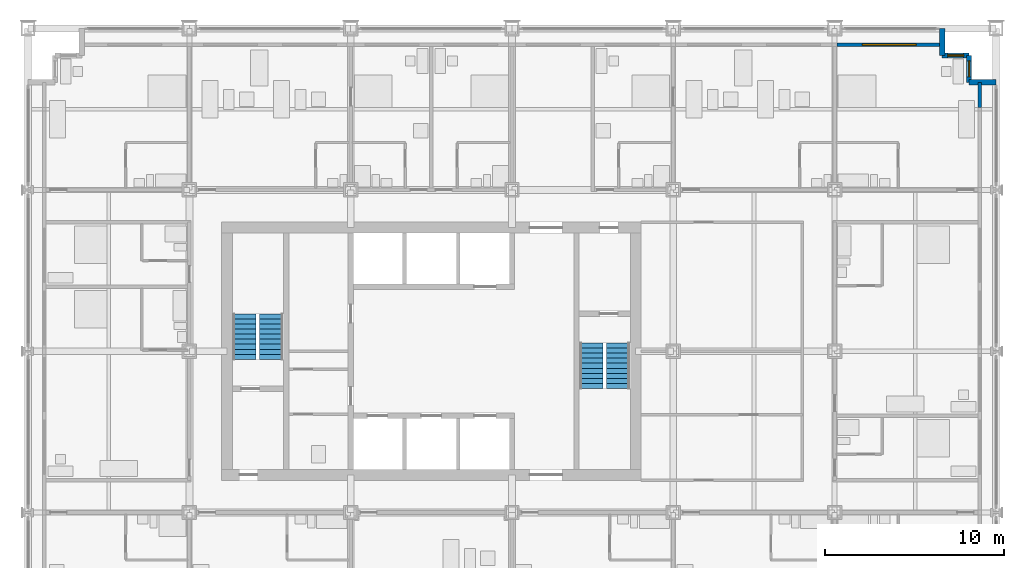
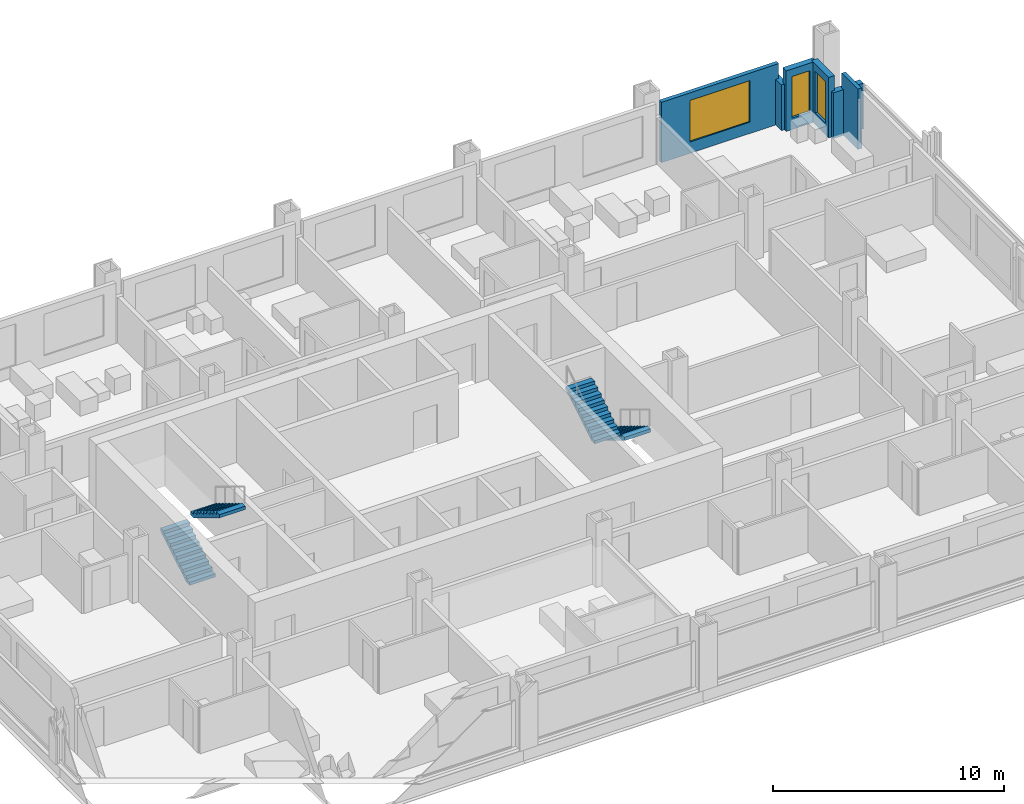
# One storey, part 15 of 18: 6 walls, 4 stair flights, 3 windows, 3 openings, 2 elements without a shape of their own.
"""IFC4 building model written with IfcOpenShell, lengths in metres."""

from ifc_helpers import new_model, si_unit, direction, frame, frame_2d, origin, place, context, subcontext, project, spatial, polyline, rectangle, outline, extrude, material, layer, layer_set, type_object, element, fill, aggregate, save


model = new_model("IFC4")

# Units and contexts
model_context = context("Model", 3, precision=1e-05, world=origin(), true_north=direction((0.0, 1.0)))
body_context = subcontext(model_context, "Body", "Model", "MODEL_VIEW")
ifc_project = project(units=[si_unit("LENGTHUNIT", "METRE"), si_unit("AREAUNIT", "SQUARE_METRE"), si_unit("VOLUMEUNIT", "CUBIC_METRE"), si_unit("PLANEANGLEUNIT", "RADIAN"), si_unit("MASSUNIT", "GRAM", prefix="KILO")], contexts=[model_context])

# Site, building, storey
site_placement = place(None, origin())
site = spatial("IfcSite", under=ifc_project, at=site_placement, CompositionType="ELEMENT")
building_placement = place(site_placement, origin())
building = spatial("IfcBuilding", under=site, at=building_placement, Name="Loomwork Tower", CompositionType="ELEMENT")
storey_placement = place(building_placement, frame((0.0, 0.0, 48.39990234375)))
storey = spatial("IfcBuildingStorey", under=building, at=storey_placement, Name="L11", CompositionType="ELEMENT", Elevation=48.39990234375)

# Wall, opening, window
ifc_material_1 = material(Name="Insulated steel stud wall with gypsum lining", Category="steel")
ifc_layer_1 = layer(ifc_material_1, 0.199951171875)
ifc_layer_set_1 = layer_set([ifc_layer_1], Name="Inner skin wall 200")
wall_type_1 = type_object("IfcWallType", Name="Inner skin wall 200", PredefinedType="SOLIDWALL", material=ifc_layer_set_1)
wall_1_placement = place(storey_placement, frame((45.135498046875, 35.10009765625, 0.0), z_axis=(0.0, 0.0, 1.0), x_axis=(1.0, 0.0, 0.0)))
wall_1 = element("IfcWall", 1, at=wall_1_placement, inside=storey, type_object=wall_type_1, Name="Inner skin wall N bay 11", PredefinedType="SOLIDWALL", context=body_context, shape_type="SweptSolid", body=[
    extrude(rectangle(XDim=5.864501953125, YDim=0.199951171875, at=frame_2d((2.93212890625, 0.0))), origin(), (0.0, 0.0, 1.0), 3.2001953125),
])
opening_1_placement = place(wall_1_placement, frame((1.41455078125, 0.0, 0.60009765625)))
opening_1 = element("IfcOpeningElement", 2, at=opening_1_placement, cuts=wall_1, Name="Opening CH1", PredefinedType="OPENING", context=body_context, shape_type="SweptSolid", body=[
    extrude(rectangle(XDim=3.0, YDim=2.199951171875, at=frame_2d((1.5, 1.10009765625))), frame((0.0, 0.10986328125, 0.0), z_axis=(0.0, -1.0, 0.0), x_axis=(1.0, 0.0, 0.0)), (0.0, 0.0, 1.0), 0.219970703125),
])
ifc_material_2 = material(Name="Aluminium frame with clear insulated glass", Category="aluminium")
window_type_1 = type_object("IfcWindowType", Name="Chicago window 3000", PartitioningType="TRIPLE_PANEL_VERTICAL", PredefinedType="WINDOW", material=ifc_material_2)
window_1_placement = place(opening_1_placement, origin())
window_1 = element("IfcWindow", 3, at=window_1_placement, inside=storey, type_object=window_type_1, Name="Chicago window L11 bay 12", OverallHeight=2.199951171875, OverallWidth=3.0, PartitioningType="TRIPLE_PANEL_VERTICAL", PredefinedType="WINDOW", context=body_context, shape_type="SweptSolid", body=[
    extrude(rectangle(XDim=3.0, YDim=2.199951171875, at=frame_2d((1.5, 1.10009765625))), frame((0.0, 0.030029296875, 0.0), z_axis=(0.0, -1.0, 0.0), x_axis=(1.0, 0.0, 0.0)), (0.0, 0.0, 1.0), 0.06005859375),
])
fill(opening_1, window_1)

# Walls
wall_2_placement = place(storey_placement, frame((53.10009765625, 31.607421875, 0.0), z_axis=(0.0, 0.0, 1.0), x_axis=(0.0, 1.0, 0.0)))
element("IfcWall", 4, at=wall_2_placement, inside=storey, type_object=wall_type_1, Name="Inner skin wall E bay 11", PredefinedType="SOLIDWALL", context=body_context, shape_type="SweptSolid", body=[
    extrude(rectangle(XDim=1.392578125, YDim=0.199951171875, at=frame_2d((0.6962890625, 0.0))), origin(), (0.0, 0.0, 1.0), 3.2001953125),
])
ifc_material_3 = material(Name="Limestone on concrete masonry", Category="masonry")
ifc_layer_2 = layer(ifc_material_3, 0.300048828125)
ifc_layer_set_2 = layer_set([ifc_layer_2], Name="Limestone corner wall 300")
wall_type_2 = type_object("IfcWallType", Name="Limestone corner wall 300", PredefinedType="SOLIDWALL", material=ifc_layer_set_2)
wall_3_placement = place(storey_placement, frame((54.0, 33.0, 0.0), z_axis=(0.0, 0.0, 1.0), x_axis=(-1.0, 0.0, 0.0)))
element("IfcWall", 5, at=wall_3_placement, inside=storey, type_object=wall_type_2, Name="Stone corner wall NE 1", PredefinedType="SOLIDWALL", context=body_context, shape_type="SweptSolid", body=[
    extrude(rectangle(XDim=1.5, YDim=0.300048828125, at=frame_2d((0.75, 0.0))), origin(), (0.0, 0.0, 1.0), 2.420166015625),
])

# Wall, opening, window
wall_4_placement = place(storey_placement, frame((52.5, 33.0, 0.0), z_axis=(0.0, 0.0, 1.0), x_axis=(0.0, 1.0, 0.0)))
wall_4 = element("IfcWall", 6, at=wall_4_placement, inside=storey, type_object=wall_type_2, Name="Stone corner wall NE 2", PredefinedType="SOLIDWALL", context=body_context, shape_type="SweptSolid", body=[
    extrude(rectangle(XDim=1.5, YDim=0.300048828125, at=frame_2d((0.75, 0.0))), origin(), (0.0, 0.0, 1.0), 3.2001953125),
])
opening_2_placement = place(wall_4_placement, frame((0.300048828125, 0.0, 0.60009765625)))
opening_2 = element("IfcOpeningElement", 7, at=opening_2_placement, cuts=wall_4, Name="Opening CH2", PredefinedType="OPENING", context=body_context, shape_type="SweptSolid", body=[
    extrude(rectangle(XDim=0.89990234375, YDim=2.199951171875, at=frame_2d((0.449951171875, 1.10009765625))), frame((0.0, 0.159912109375, 0.0), z_axis=(0.0, -1.0, 0.0), x_axis=(1.0, 0.0, 0.0)), (0.0, 0.0, 1.0), 0.320068359375),
])
ifc_material_4 = material(Name="Aluminium frame with clear insulated glass", Category="aluminium")
window_type_2 = type_object("IfcWindowType", Name="Corner window 900", PartitioningType="SINGLE_PANEL", PredefinedType="WINDOW", material=ifc_material_4)
window_2_placement = place(opening_2_placement, origin())
window_2 = element("IfcWindow", 8, at=window_2_placement, inside=storey, type_object=window_type_2, Name="Corner window NE", OverallHeight=2.199951171875, OverallWidth=0.89990234375, PartitioningType="SINGLE_PANEL", PredefinedType="WINDOW", context=body_context, shape_type="SweptSolid", body=[
    extrude(rectangle(XDim=0.89990234375, YDim=2.199951171875, at=frame_2d((0.449951171875, 1.10009765625))), frame((0.0, 0.030029296875, 0.0), z_axis=(0.0, -1.0, 0.0), x_axis=(1.0, 0.0, 0.0)), (0.0, 0.0, 1.0), 0.06005859375),
])
fill(opening_2, window_2)

wall_5_placement = place(storey_placement, frame((52.5, 34.5, 0.0), z_axis=(0.0, 0.0, 1.0), x_axis=(-1.0, 0.0, 0.0)))
wall_5 = element("IfcWall", 9, at=wall_5_placement, inside=storey, type_object=wall_type_2, Name="Stone corner wall NE 3", PredefinedType="SOLIDWALL", context=body_context, shape_type="SweptSolid", body=[
    extrude(rectangle(XDim=1.5, YDim=0.300048828125, at=frame_2d((0.75, 0.0))), origin(), (0.0, 0.0, 1.0), 3.2001953125),
])
opening_3_placement = place(wall_5_placement, frame((0.300048828125, 0.0, 0.60009765625)))
opening_3 = element("IfcOpeningElement", 10, at=opening_3_placement, cuts=wall_5, Name="Opening CH2", PredefinedType="OPENING", context=body_context, shape_type="SweptSolid", body=[
    extrude(rectangle(XDim=0.89990234375, YDim=2.199951171875, at=frame_2d((0.449951171875, 1.10009765625))), frame((0.0, 0.159912109375, 0.0), z_axis=(0.0, -1.0, 0.0), x_axis=(1.0, 0.0, 0.0)), (0.0, 0.0, 1.0), 0.320068359375),
])
window_3_placement = place(opening_3_placement, origin())
window_3 = element("IfcWindow", 11, at=window_3_placement, inside=storey, type_object=window_type_2, Name="Corner window NE", OverallHeight=2.199951171875, OverallWidth=0.89990234375, PartitioningType="SINGLE_PANEL", PredefinedType="WINDOW", context=body_context, shape_type="SweptSolid", body=[
    extrude(rectangle(XDim=0.89990234375, YDim=2.199951171875, at=frame_2d((0.449951171875, 1.10009765625))), frame((0.0, 0.030029296875, 0.0), z_axis=(0.0, -1.0, 0.0), x_axis=(1.0, 0.0, 0.0)), (0.0, 0.0, 1.0), 0.06005859375),
])
fill(opening_3, window_3)

# Wall
wall_6_placement = place(storey_placement, frame((51.0, 34.5, 0.0), z_axis=(0.0, 0.0, 1.0), x_axis=(0.0, 1.0, 0.0)))
element("IfcWall", 12, at=wall_6_placement, inside=storey, type_object=wall_type_2, Name="Stone corner wall NE 4", PredefinedType="SOLIDWALL", context=body_context, shape_type="SweptSolid", body=[
    extrude(rectangle(XDim=1.5, YDim=0.300048828125, at=frame_2d((0.75, 0.0))), origin(), (0.0, 0.0, 1.0), 2.420166015625),
])

# Stair, stair flights
ifc_material_5 = material(Name="Concrete 5000 psi (34 MPa) precast stair", Category="concrete")
stair_type_1 = type_object("IfcStairType", Name="Stair ST-A 20 risers 2850 wide", PredefinedType="HALF_TURN_STAIR", material=ifc_material_5)
stair_1_placement = place(storey_placement, origin())
stair_1 = element("IfcStair", 13, at=stair_1_placement, inside=storey, type_object=stair_type_1, Name="Stair A L11", PredefinedType="HALF_TURN_STAIR")
ifc_material_6 = material(Name="Concrete 5000 psi (34 MPa) precast stair", Category="concrete")
stair_flight_type_1 = type_object("IfcStairFlightType", Name="Stair flight ST-A 10 risers 1300 wide", PredefinedType="STRAIGHT", material=ifc_material_6)
stair_flight_1_placement = place(storey_placement, frame((12.074951171875, 17.550048828125, 0.0), z_axis=(0.0, 0.0, 1.0), x_axis=(0.0, 1.0, 0.0)))
stair_flight_1 = element("IfcStairFlight", 14, at=stair_flight_1_placement, type_object=stair_flight_type_1, Name="ST-A flight 1", NumberOfRisers=10, NumberOfTreads=9, PredefinedType="STRAIGHT", RiserHeight=0.17, TreadLength=0.28, context=body_context, shape_type="SweptSolid", body=[
    extrude(outline(polyline([(0.0, 0.0), (0.0, 0.169921875), (0.280029296875, 0.169921875), (0.280029296875, 0.340087890625), (0.56005859375, 0.340087890625), (0.56005859375, 0.510009765625), (0.840087890625, 0.510009765625), (0.840087890625, 0.679931640625), (1.1201171875, 0.679931640625), (1.1201171875, 0.85009765625), (1.39990234375, 0.85009765625), (1.39990234375, 1.02001953125), (1.679931640625, 1.02001953125), (1.679931640625, 1.18994140625), (1.9599609375, 1.18994140625), (1.9599609375, 1.360107421875), (2.239990234375, 1.360107421875), (2.239990234375, 1.530029296875), (2.52001953125, 1.530029296875), (2.52001953125, 1.699951171875), (2.52001953125, 1.354736328125), (0.288818359375, 0.0), (0.0, 0.0)])), frame((0.0, 0.64990234375, 0.0), z_axis=(0.0, -1.0, 0.0), x_axis=(1.0, 0.0, 0.0)), (0.0, 0.0, 1.0), 1.300048828125),
])
stair_flight_2_placement = place(storey_placement, frame((13.574951171875, 20.070068359375, 1.7001953125), z_axis=(0.0, 0.0, 1.0), x_axis=(0.0, -1.0, 0.0)))
stair_flight_2 = element("IfcStairFlight", 15, at=stair_flight_2_placement, type_object=stair_flight_type_1, Name="ST-A flight 2", NumberOfRisers=10, NumberOfTreads=9, PredefinedType="STRAIGHT", RiserHeight=0.17, TreadLength=0.28, context=body_context, shape_type="SweptSolid", body=[
    extrude(outline(polyline([(0.0, 0.0), (0.0, 0.169921875), (0.280029296875, 0.169921875), (0.280029296875, 0.340087890625), (0.56005859375, 0.340087890625), (0.56005859375, 0.510009765625), (0.840087890625, 0.510009765625), (0.840087890625, 0.679931640625), (1.1201171875, 0.679931640625), (1.1201171875, 0.85009765625), (1.39990234375, 0.85009765625), (1.39990234375, 1.02001953125), (1.679931640625, 1.02001953125), (1.679931640625, 1.18994140625), (1.9599609375, 1.18994140625), (1.9599609375, 1.360107421875), (2.239990234375, 1.360107421875), (2.239990234375, 1.530029296875), (2.52001953125, 1.530029296875), (2.52001953125, 1.699951171875), (2.52001953125, 1.354736328125), (0.288818359375, 0.0), (0.0, 0.0)])), frame((0.0, 0.64990234375, 0.0), z_axis=(0.0, -1.0, 0.0), x_axis=(1.0, 0.0, 0.0)), (0.0, 0.0, 1.0), 1.300048828125),
])
aggregate(stair_1, [stair_flight_1, stair_flight_2])

ifc_material_7 = material(Name="Concrete 5000 psi (34 MPa) precast stair", Category="concrete")
stair_type_2 = type_object("IfcStairType", Name="Stair ST-B 20 risers 2850 wide", PredefinedType="HALF_TURN_STAIR", material=ifc_material_7)
stair_2_placement = place(storey_placement, origin())
stair_2 = element("IfcStair", 16, at=stair_2_placement, inside=storey, type_object=stair_type_2, Name="Stair B L11", PredefinedType="HALF_TURN_STAIR")
ifc_material_8 = material(Name="Concrete 5000 psi (34 MPa) precast stair", Category="concrete")
stair_flight_type_2 = type_object("IfcStairFlightType", Name="Stair flight ST-B 10 risers 1300 wide", PredefinedType="STRAIGHT", material=ifc_material_8)
stair_flight_3_placement = place(storey_placement, frame((32.925048828125, 18.449951171875, 0.0), z_axis=(0.0, 0.0, 1.0), x_axis=(0.0, -1.0, 0.0)))
stair_flight_3 = element("IfcStairFlight", 17, at=stair_flight_3_placement, type_object=stair_flight_type_2, Name="ST-B flight 1", NumberOfRisers=10, NumberOfTreads=9, PredefinedType="STRAIGHT", RiserHeight=0.17, TreadLength=0.28, context=body_context, shape_type="SweptSolid", body=[
    extrude(outline(polyline([(0.0, 0.0), (0.0, 0.169921875), (0.280029296875, 0.169921875), (0.280029296875, 0.340087890625), (0.56005859375, 0.340087890625), (0.56005859375, 0.510009765625), (0.840087890625, 0.510009765625), (0.840087890625, 0.679931640625), (1.1201171875, 0.679931640625), (1.1201171875, 0.85009765625), (1.39990234375, 0.85009765625), (1.39990234375, 1.02001953125), (1.679931640625, 1.02001953125), (1.679931640625, 1.18994140625), (1.9599609375, 1.18994140625), (1.9599609375, 1.360107421875), (2.239990234375, 1.360107421875), (2.239990234375, 1.530029296875), (2.52001953125, 1.530029296875), (2.52001953125, 1.699951171875), (2.52001953125, 1.354736328125), (0.288818359375, 0.0), (0.0, 0.0)])), frame((0.0, 0.64990234375, 0.0), z_axis=(0.0, -1.0, 0.0), x_axis=(1.0, 0.0, 0.0)), (0.0, 0.0, 1.0), 1.300048828125),
])
stair_flight_4_placement = place(storey_placement, frame((31.425048828125, 15.929931640625, 1.7001953125), z_axis=(0.0, 0.0, 1.0), x_axis=(0.0, 1.0, 0.0)))
stair_flight_4 = element("IfcStairFlight", 18, at=stair_flight_4_placement, type_object=stair_flight_type_2, Name="ST-B flight 2", NumberOfRisers=10, NumberOfTreads=9, PredefinedType="STRAIGHT", RiserHeight=0.17, TreadLength=0.28, context=body_context, shape_type="SweptSolid", body=[
    extrude(outline(polyline([(0.0, 0.0), (0.0, 0.169921875), (0.280029296875, 0.169921875), (0.280029296875, 0.340087890625), (0.56005859375, 0.340087890625), (0.56005859375, 0.510009765625), (0.840087890625, 0.510009765625), (0.840087890625, 0.679931640625), (1.1201171875, 0.679931640625), (1.1201171875, 0.85009765625), (1.39990234375, 0.85009765625), (1.39990234375, 1.02001953125), (1.679931640625, 1.02001953125), (1.679931640625, 1.18994140625), (1.9599609375, 1.18994140625), (1.9599609375, 1.360107421875), (2.239990234375, 1.360107421875), (2.239990234375, 1.530029296875), (2.52001953125, 1.530029296875), (2.52001953125, 1.699951171875), (2.52001953125, 1.354736328125), (0.288818359375, 0.0), (0.0, 0.0)])), frame((0.0, 0.64990234375, 0.0), z_axis=(0.0, -1.0, 0.0), x_axis=(1.0, 0.0, 0.0)), (0.0, 0.0, 1.0), 1.300048828125),
])
aggregate(stair_2, [stair_flight_3, stair_flight_4])

save(model, "model.ifc")
